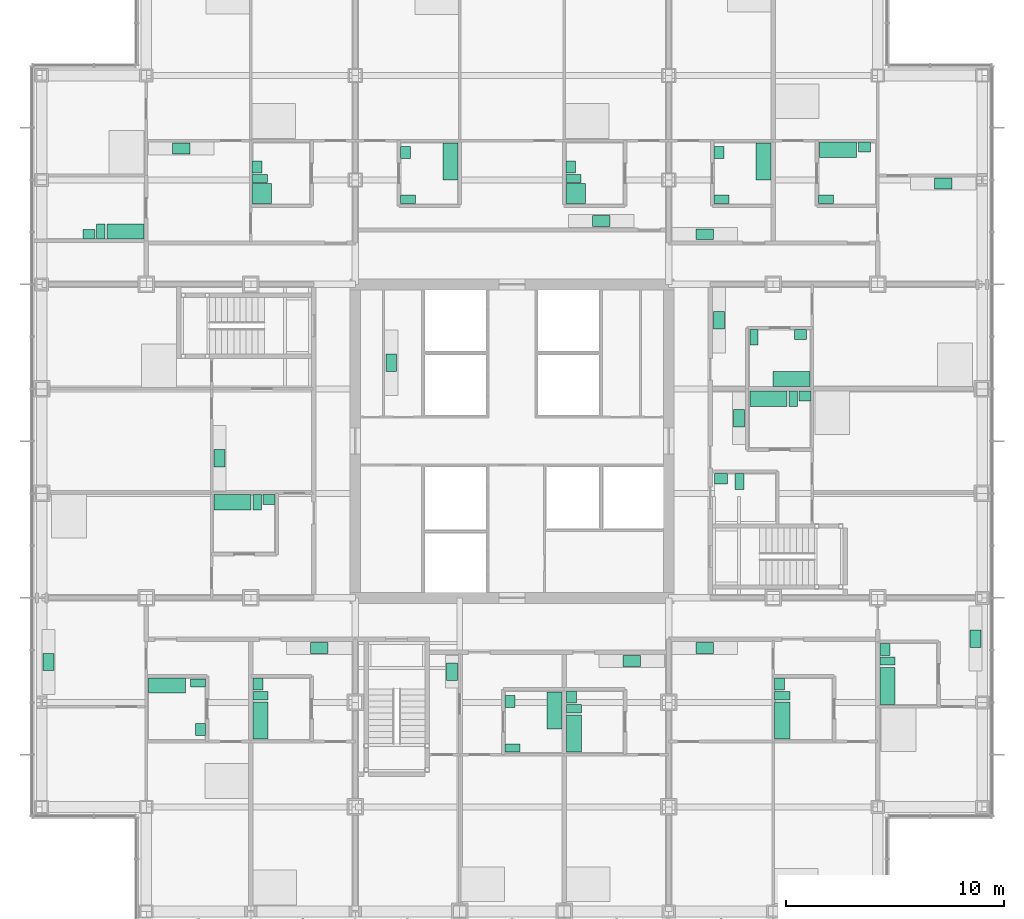
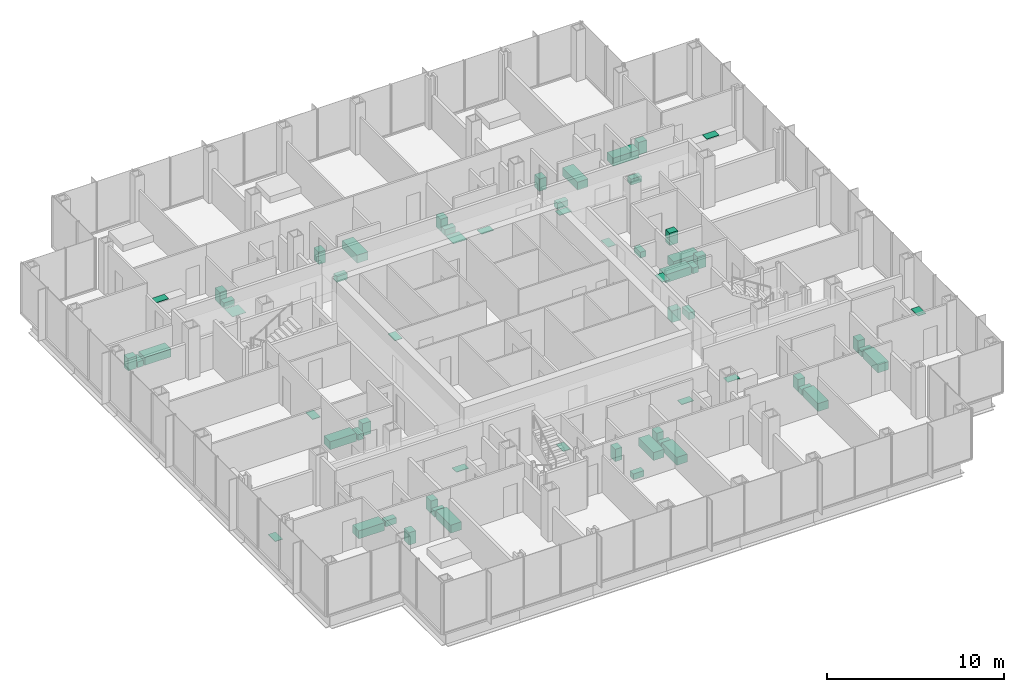
# One storey, part 20 of 21: 61 sanitary terminals.
"""IFC4 building model written with IfcOpenShell, lengths in metres."""

from ifc_helpers import new_model, si_unit, direction, frame, origin, origin_2d, place, context, subcontext, project, spatial, rectangle, extrude, material, type_object, element, save


model = new_model("IFC4")

# Units and contexts
model_context = context("Model", 3, precision=1e-05, world=origin(), true_north=direction((0.0, 1.0)))
body_context = subcontext(model_context, "Body", "Model", "MODEL_VIEW")
ifc_project = project(units=[si_unit("LENGTHUNIT", "METRE"), si_unit("AREAUNIT", "SQUARE_METRE"), si_unit("VOLUMEUNIT", "CUBIC_METRE"), si_unit("PLANEANGLEUNIT", "RADIAN"), si_unit("MASSUNIT", "GRAM", prefix="KILO")], contexts=[model_context])

# Site, building, storey
site_placement = place(None, origin())
site = spatial("IfcSite", under=ifc_project, at=site_placement, CompositionType="ELEMENT")
building_placement = place(site_placement, origin())
building = spatial("IfcBuilding", under=site, at=building_placement, Name="Kvirike Care Tower", CompositionType="ELEMENT")
storey_placement = place(building_placement, frame((0.0, 0.0, 37.5)))
storey = spatial("IfcBuildingStorey", under=building, at=storey_placement, Name="L09", CompositionType="ELEMENT", Elevation=37.5)

# Sanitary terminals
ifc_material_1 = material(Name="Vitreous china", Category="ceramic")
sanitary_terminal_type_1 = type_object("IfcSanitaryTerminalType", Name="ACCESSIBLE WASH BASIN 600 x 500", PredefinedType="WASHHANDBASIN", material=ifc_material_1)
sanitary_terminal_1_placement = place(storey_placement, frame((31.199951171875, 34.27294921875, 0.02001953125), z_axis=(0.0, 0.0, 1.0), x_axis=(1.0, 0.0, 0.0)))
element("IfcSanitaryTerminal", 1, at=sanitary_terminal_1_placement, inside=storey, type_object=sanitary_terminal_type_1, Name="Accessible wash basin L09-057", PredefinedType="WASHHANDBASIN", context=body_context, shape_type="SweptSolid", body=[
    extrude(rectangle(XDim=0.60009765625, YDim=0.5, at=origin_2d()), origin(), (0.0, 0.0, 1.0), 0.800048828125),
])
ifc_material_2 = material(Name="Vitreous china", Category="ceramic")
sanitary_terminal_type_2 = type_object("IfcSanitaryTerminalType", Name="ACCESSIBLE WC PAN 400 x 750", PredefinedType="TOILETPAN", material=ifc_material_2)
sanitary_terminal_2_placement = place(storey_placement, frame((32.050048828125, 34.14794921875, 0.02001953125), z_axis=(0.0, 0.0, 1.0), x_axis=(1.0, 0.0, 0.0)))
element("IfcSanitaryTerminal", 2, at=sanitary_terminal_2_placement, inside=storey, type_object=sanitary_terminal_type_2, Name="Accessible WC pan L09-057", PredefinedType="TOILETPAN", context=body_context, shape_type="SweptSolid", body=[
    extrude(rectangle(XDim=0.39990234375, YDim=0.75, at=origin_2d()), origin(), (0.0, 0.0, 1.0), 0.47998046875),
])
ifc_material_3 = material(Name="Enamelled steel", Category="steel")
sanitary_terminal_type_3 = type_object("IfcSanitaryTerminalType", Name="BATH 1700 x 700", PredefinedType="BATH", material=ifc_material_3)
for number, where, z_axis, x_axis, name in (
    (3, (5.760009765625, 24.77294921875, 0.02001953125), (0.0, 0.0, 1.0), (1.0, 0.0, 0.0), "Bath L09-004"),
    (4, (10.052001953125, 23.159912109375, 0.02001953125), (0.0, 0.0, 1.0), (0.0, 1.0, 0.0), "Bath L09-008"),
    (5, (8.760009765625, 33.18798828125, 0.02001953125), (0.0, 0.0, 1.0), (1.0, 0.0, 0.0), "Bath L09-015"),
    (6, (3.85009765625, 45.626953125, 0.02001953125), (0.0, 0.0, 1.0), (-1.0, 0.0, 0.0), "Bath L09-024"),
    (7, (23.548095703125, 23.625, 0.02001953125), (0.0, 0.0, 1.0), (0.0, -1.0, 0.0), "Bath L09-031"),
    (8, (24.451904296875, 22.56005859375, 0.02001953125), (0.0, 0.0, 1.0), (0.0, 1.0, 0.0), "Bath L09-035"),
    (9, (18.77294921875, 48.840087890625, 0.02001953125), (0.0, 0.0, 1.0), (0.0, -1.0, 0.0), "Bath L09-042"),
    (10, (34.011962890625, 23.159912109375, 0.02001953125), (0.0, 0.0, 1.0), (0.0, 1.0, 0.0), "Bath L09-047"),
    (11, (38.85205078125, 24.760009765625, 0.02001953125), (0.0, 0.0, 1.0), (0.0, 1.0, 0.0), "Bath L09-051"),
    (12, (33.375, 37.947998046875, 0.02001953125), (0.0, 0.0, 1.0), (1.0, 0.0, 0.0), "Bath L09-058"),
    (13, (34.43994140625, 38.85205078125, 0.02001953125), (0.0, 0.0, 1.0), (-1.0, 0.0, 0.0), "Bath L09-061"),
    (14, (36.574951171875, 49.387939453125, 0.02001953125), (0.0, 0.0, 1.0), (1.0, 0.0, 0.0), "Bath L09-066"),
    (15, (33.14794921875, 48.840087890625, 0.02001953125), (0.0, 0.0, 1.0), (0.0, -1.0, 0.0), "Bath L09-070"),
):
    element("IfcSanitaryTerminal", number, at=place(storey_placement, frame(where, z_axis=z_axis, x_axis=x_axis)), inside=storey, type_object=sanitary_terminal_type_3, Name=name, PredefinedType="BATH", context=body_context, shape_type="SweptSolid", body=[
        extrude(rectangle(XDim=1.699951171875, YDim=0.699951171875, at=origin_2d()), origin(), (0.0, 0.0, 1.0), 0.550048828125),
    ])
ifc_material_4 = material(Name="Stainless steel", Category="steel")
sanitary_terminal_type_4 = type_object("IfcSanitaryTerminalType", Name="KITCHEN SINK 800 x 500", PredefinedType="SINK", material=ifc_material_4)
for number, where, z_axis, x_axis, name in (
    (16, (0.302001953125, 25.8544921875, 0.89990234375), (0.0, 0.0, 1.0), (0.0, 1.0, 0.0), "Kitchen sink L09-005"),
    (17, (12.75, 26.498046875, 0.89990234375), (0.0, 0.0, 1.0), (1.0, 0.0, 0.0), "Kitchen sink L09-009"),
    (18, (8.162109375, 35.2099609375, 0.89990234375), (0.0, 0.0, 1.0), (0.0, 1.0, 0.0), "Kitchen sink L09-017"),
    (19, (6.409912109375, 49.43798828125, 0.89990234375), (0.0, 0.0, 1.0), (1.0, 0.0, 0.0), "Kitchen sink L09-026"),
    (20, (18.837890625, 25.39990234375, 0.89990234375), (0.0, 0.0, 1.0), (0.0, -1.0, 0.0), "Kitchen sink L09-032"),
    (21, (27.10009765625, 25.89794921875, 0.89990234375), (0.0, 0.0, 1.0), (1.0, 0.0, 0.0), "Kitchen sink L09-036"),
    (22, (25.699951171875, 46.10205078125, 0.89990234375), (0.0, 0.0, 1.0), (-1.0, 0.0, 0.0), "Kitchen sink L09-043"),
    (23, (30.449951171875, 26.498046875, 0.89990234375), (0.0, 0.0, 1.0), (1.0, 0.0, 0.0), "Kitchen sink L09-048"),
    (24, (42.89794921875, 26.929931640625, 0.89990234375), (0.0, 0.0, 1.0), (0.0, -1.0, 0.0), "Kitchen sink L09-052"),
    (25, (32.02294921875, 37.050048828125, 0.89990234375), (0.0, 0.0, 1.0), (0.0, -1.0, 0.0), "Kitchen sink L09-059"),
    (26, (31.10205078125, 41.550048828125, 0.89990234375), (0.0, 0.0, 1.0), (0.0, 1.0, 0.0), "Kitchen sink L09-062"),
    (27, (41.409912109375, 47.837890625, 0.89990234375), (0.0, 0.0, 1.0), (1.0, 0.0, 0.0), "Kitchen sink L09-067"),
    (28, (30.449951171875, 45.501953125, 0.89990234375), (0.0, 0.0, 1.0), (-1.0, 0.0, 0.0), "Kitchen sink L09-071"),
    (29, (16.052001953125, 39.60009765625, 0.89990234375), (0.0, 0.0, 1.0), (0.0, 1.0, 0.0), "Kitchen sink L09-078"),
):
    element("IfcSanitaryTerminal", number, at=place(storey_placement, frame(where, z_axis=z_axis, x_axis=x_axis)), inside=storey, type_object=sanitary_terminal_type_4, Name=name, PredefinedType="SINK", context=body_context, shape_type="SweptSolid", body=[
        extrude(rectangle(XDim=0.800048828125, YDim=0.5, at=origin_2d()), origin(), (0.0, 0.0, 1.0), 0.030029296875),
    ])
ifc_material_5 = material(Name="Stainless steel", Category="steel")
sanitary_terminal_type_5 = type_object("IfcSanitaryTerminalType", Name="LEVEL-ACCESS SHOWER 900 x 900", PredefinedType="SHOWER", material=ifc_material_5)
for number, where, z_axis, x_axis, name in (
    (30, (10.112060546875, 47.375, 0.02001953125), (0.0, 0.0, 1.0), (0.0, 1.0, 0.0), "Level-access shower L09-023"),
    (31, (24.527099609375, 47.375, 0.02001953125), (0.0, 0.0, 1.0), (0.0, 1.0, 0.0), "Level-access shower L09-041"),
):
    element("IfcSanitaryTerminal", number, at=place(storey_placement, frame(where, z_axis=z_axis, x_axis=x_axis)), inside=storey, type_object=sanitary_terminal_type_5, Name=name, PredefinedType="SHOWER", context=body_context, shape_type="SweptSolid", body=[
        extrude(rectangle(XDim=0.89990234375, YDim=0.89990234375, at=origin_2d()), origin(), (0.0, 0.0, 1.0), 0.02001953125),
    ])
ifc_material_6 = material(Name="Vitreous china", Category="ceramic")
sanitary_terminal_type_6 = type_object("IfcSanitaryTerminalType", Name="WASH BASIN 550 x 450", PredefinedType="WASHHANDBASIN", material=ifc_material_6)
for number, where, z_axis, x_axis, name in (
    (32, (7.298095703125, 22.75, 0.02001953125), (0.0, 0.0, 1.0), (0.0, -1.0, 0.0), "Wash basin L09-004"),
    (33, (9.927001953125, 24.8349609375, 0.02001953125), (0.0, 0.0, 1.0), (0.0, 1.0, 0.0), "Wash basin L09-008"),
    (34, (10.43505859375, 33.31298828125, 0.02001953125), (0.0, 0.0, 1.0), (1.0, 0.0, 0.0), "Wash basin L09-015"),
    (35, (9.886962890625, 48.60009765625, 0.02001953125), (0.0, 0.0, 1.0), (0.0, 1.0, 0.0), "Wash basin L09-023"),
    (36, (2.175048828125, 45.501953125, 0.02001953125), (0.0, 0.0, 1.0), (-1.0, 0.0, 0.0), "Wash basin L09-024"),
    (37, (21.501953125, 24.034912109375, 0.02001953125), (0.0, 0.0, 1.0), (0.0, 1.0, 0.0), "Wash basin L09-031"),
    (38, (24.326904296875, 24.235107421875, 0.02001953125), (0.0, 0.0, 1.0), (0.0, 1.0, 0.0), "Wash basin L09-035"),
    (39, (24.302001953125, 48.60009765625, 0.02001953125), (0.0, 0.0, 1.0), (0.0, 1.0, 0.0), "Wash basin L09-041"),
    (40, (16.701904296875, 49.25, 0.02001953125), (0.0, 0.0, 1.0), (0.0, 1.0, 0.0), "Wash basin L09-042"),
    (41, (33.886962890625, 24.8349609375, 0.02001953125), (0.0, 0.0, 1.0), (0.0, 1.0, 0.0), "Wash basin L09-047"),
    (42, (38.72705078125, 26.43505859375, 0.02001953125), (0.0, 0.0, 1.0), (0.0, 1.0, 0.0), "Wash basin L09-051"),
    (43, (35.050048828125, 38.072998046875, 0.02001953125), (0.0, 0.0, 1.0), (1.0, 0.0, 0.0), "Wash basin L09-058"),
    (44, (34.85009765625, 40.89794921875, 0.02001953125), (0.0, 0.0, 1.0), (1.0, 0.0, 0.0), "Wash basin L09-061"),
    (45, (37.800048828125, 49.512939453125, 0.02001953125), (0.0, 0.0, 1.0), (1.0, 0.0, 0.0), "Wash basin L09-066"),
    (46, (31.10205078125, 49.25, 0.02001953125), (0.0, 0.0, 1.0), (0.0, 1.0, 0.0), "Wash basin L09-070"),
):
    element("IfcSanitaryTerminal", number, at=place(storey_placement, frame(where, z_axis=z_axis, x_axis=x_axis)), inside=storey, type_object=sanitary_terminal_type_6, Name=name, PredefinedType="WASHHANDBASIN", context=body_context, shape_type="SweptSolid", body=[
        extrude(rectangle(XDim=0.550048828125, YDim=0.449951171875, at=origin_2d()), origin(), (0.0, 0.0, 1.0), 0.85009765625),
    ])
ifc_material_7 = material(Name="Vitreous china", Category="ceramic")
sanitary_terminal_type_7 = type_object("IfcSanitaryTerminalType", Name="WC PAN 380 x 700", PredefinedType="TOILETPAN", material=ifc_material_7)
for number, where, z_axis, x_axis, name in (
    (47, (7.173095703125, 24.885009765625, 0.02001953125), (0.0, 0.0, 1.0), (0.0, -1.0, 0.0), "WC pan L09-004"),
    (48, (10.052001953125, 24.300048828125, 0.02001953125), (0.0, 0.0, 1.0), (0.0, 1.0, 0.0), "WC pan L09-008"),
    (49, (9.89990234375, 33.18798828125, 0.02001953125), (0.0, 0.0, 1.0), (1.0, 0.0, 0.0), "WC pan L09-015"),
    (50, (10.011962890625, 48.06494140625, 0.02001953125), (0.0, 0.0, 1.0), (0.0, 1.0, 0.0), "WC pan L09-023"),
    (51, (2.7099609375, 45.626953125, 0.02001953125), (0.0, 0.0, 1.0), (-1.0, 0.0, 0.0), "WC pan L09-024"),
    (52, (21.626953125, 21.89990234375, 0.02001953125), (0.0, 0.0, 1.0), (0.0, 1.0, 0.0), "WC pan L09-031"),
    (53, (24.451904296875, 23.699951171875, 0.02001953125), (0.0, 0.0, 1.0), (0.0, 1.0, 0.0), "WC pan L09-035"),
    (54, (24.427001953125, 48.06494140625, 0.02001953125), (0.0, 0.0, 1.0), (0.0, 1.0, 0.0), "WC pan L09-041"),
    (55, (16.826904296875, 47.114990234375, 0.02001953125), (0.0, 0.0, 1.0), (0.0, 1.0, 0.0), "WC pan L09-042"),
    (56, (34.011962890625, 24.300048828125, 0.02001953125), (0.0, 0.0, 1.0), (0.0, 1.0, 0.0), "WC pan L09-047"),
    (57, (38.85205078125, 25.89990234375, 0.02001953125), (0.0, 0.0, 1.0), (0.0, 1.0, 0.0), "WC pan L09-051"),
    (58, (34.514892578125, 37.947998046875, 0.02001953125), (0.0, 0.0, 1.0), (1.0, 0.0, 0.0), "WC pan L09-058"),
    (59, (32.715087890625, 40.77294921875, 0.02001953125), (0.0, 0.0, 1.0), (1.0, 0.0, 0.0), "WC pan L09-061"),
    (60, (36.027099609375, 47.114990234375, 0.02001953125), (0.0, 0.0, 1.0), (0.0, 1.0, 0.0), "WC pan L09-066"),
    (61, (31.22705078125, 47.114990234375, 0.02001953125), (0.0, 0.0, 1.0), (0.0, 1.0, 0.0), "WC pan L09-070"),
):
    element("IfcSanitaryTerminal", number, at=place(storey_placement, frame(where, z_axis=z_axis, x_axis=x_axis)), inside=storey, type_object=sanitary_terminal_type_7, Name=name, PredefinedType="TOILETPAN", context=body_context, shape_type="SweptSolid", body=[
        extrude(rectangle(XDim=0.3798828125, YDim=0.699951171875, at=origin_2d()), origin(), (0.0, 0.0, 1.0), 0.39990234375),
    ])

save(model, "model.ifc")
